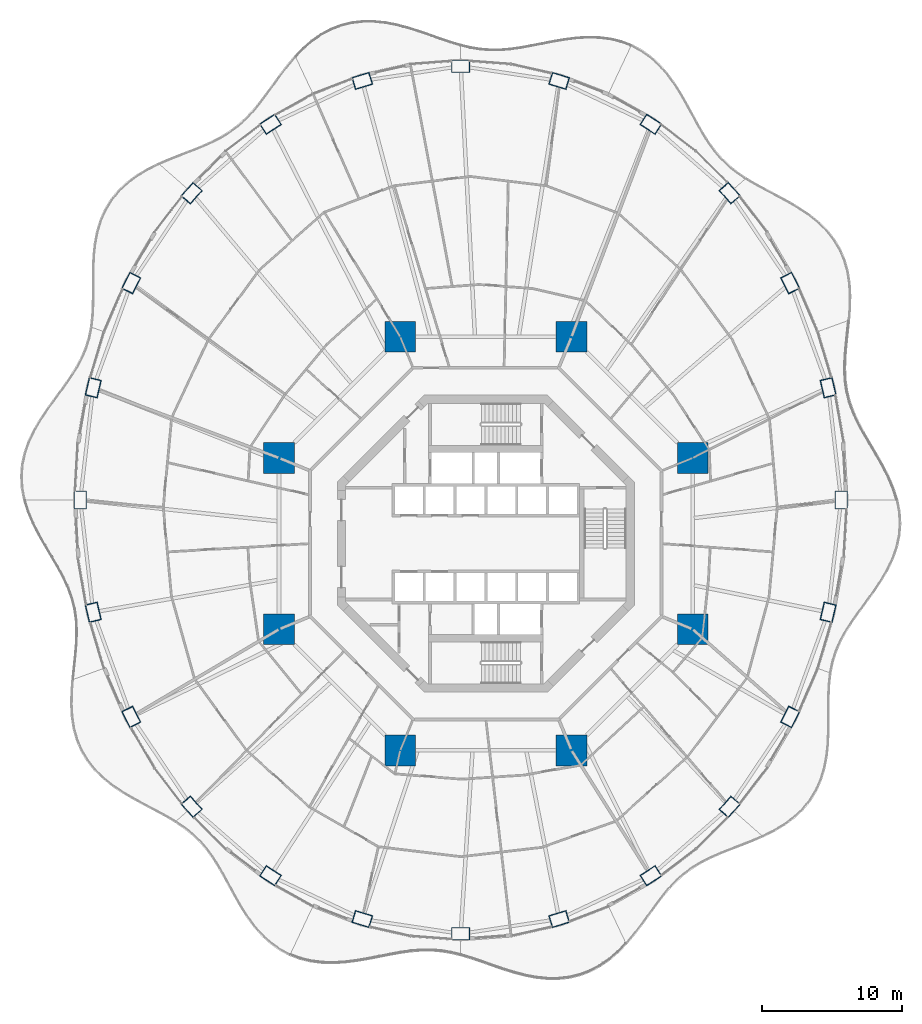
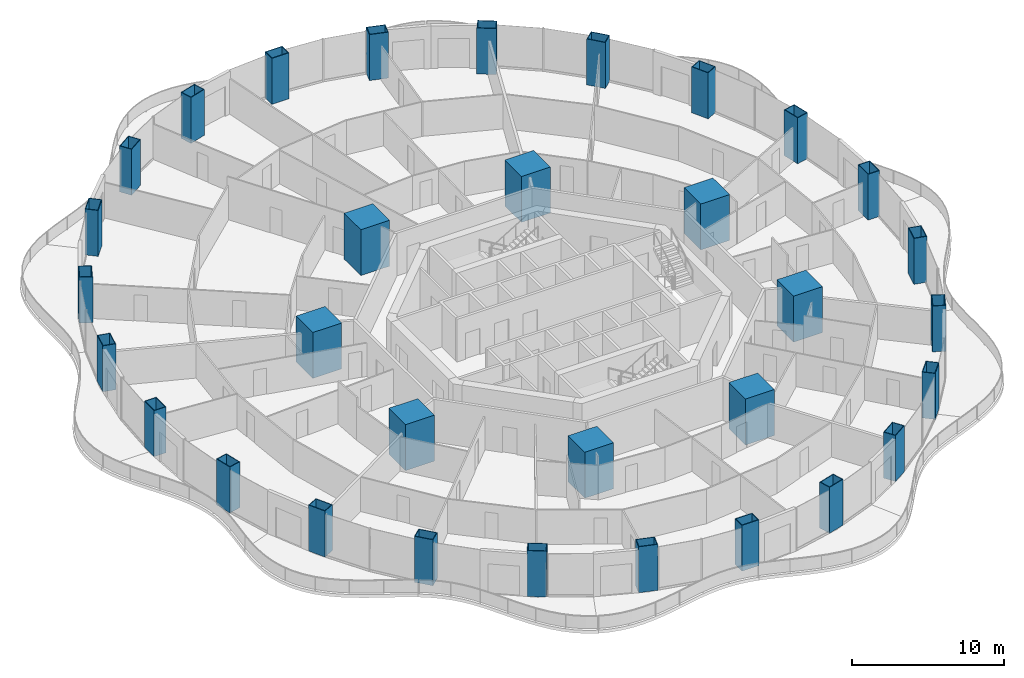
# One storey, part 1 of 22: 32 columns.
"""IFC4 building model written with IfcOpenShell, lengths in metres."""

from ifc_helpers import new_model, si_unit, direction, frame, origin, origin_2d, place, context, subcontext, project, spatial, rectangle, hollow_rectangle, extrude, material, material_profile, profile_set, type_object, element, save


model = new_model("IFC4")

# Units and contexts
model_context = context("Model", 3, precision=1e-05, world=origin(), true_north=direction((0.0, 1.0)))
body_context = subcontext(model_context, "Body", "Model", "MODEL_VIEW")
ifc_project = project(units=[si_unit("LENGTHUNIT", "METRE"), si_unit("AREAUNIT", "SQUARE_METRE"), si_unit("VOLUMEUNIT", "CUBIC_METRE"), si_unit("PLANEANGLEUNIT", "RADIAN"), si_unit("MASSUNIT", "GRAM", prefix="KILO")], contexts=[model_context])

# Site, building, storey
site_placement = place(None, origin())
site = spatial("IfcSite", under=ifc_project, at=site_placement, CompositionType="ELEMENT")
building_placement = place(site_placement, origin())
building = spatial("IfcBuilding", under=site, at=building_placement, Name="Nagisa Residences", CompositionType="ELEMENT")
storey_placement = place(building_placement, frame((0.0, 0.0, 88.10009765625)))
storey = spatial("IfcBuildingStorey", under=building, at=storey_placement, Name="L21", CompositionType="ELEMENT", Elevation=88.10009765625)

# Columns
ifc_material_1 = material(Name="Concrete C80", Category="concrete")
ifc_material_profile_1 = material_profile(ifc_material_1, rectangle(XDim=2.199951171875, YDim=2.199951171875, at=origin_2d()), Name="C80 2200x2200")
ifc_profile_set_1 = profile_set([ifc_material_profile_1], Name="Concrete C80")
column_type_1 = type_object("IfcColumnType", Name="Inner megacolumn C80 2200x2200", PredefinedType="COLUMN", material=ifc_profile_set_1)
for number, where, z_axis, x_axis, name in (
    (1, (14.781982421875, 6.123046875, 0.0), (0.0, 0.0, 1.0), (1.0, 0.0, 0.0), "col:L21:i1"),
    (2, (6.123046875, 14.781982421875, 0.0), (0.0, 0.0, 1.0), (1.0, 0.0, 0.0), "col:L21:i2"),
    (3, (-6.123046875, 14.781982421875, 0.0), (0.0, 0.0, 1.0), (1.0, 0.0, 0.0), "col:L21:i3"),
    (4, (-14.781982421875, 6.123046875, 0.0), (0.0, 0.0, 1.0), (1.0, 0.0, 0.0), "col:L21:i4"),
    (5, (-14.781982421875, -6.123046875, 0.0), (0.0, 0.0, 1.0), (1.0, 0.0, 0.0), "col:L21:i5"),
    (6, (-6.123046875, -14.781982421875, 0.0), (0.0, 0.0, 1.0), (1.0, 0.0, 0.0), "col:L21:i6"),
    (7, (6.123046875, -14.781982421875, 0.0), (0.0, 0.0, 1.0), (1.0, 0.0, 0.0), "col:L21:i7"),
    (8, (14.781982421875, -6.123046875, 0.0), (0.0, 0.0, 1.0), (1.0, 0.0, 0.0), "col:L21:i8"),
):
    element("IfcColumn", number, at=place(storey_placement, frame(where, z_axis=z_axis, x_axis=x_axis)), inside=storey, type_object=column_type_1, Name=name, PredefinedType="COLUMN", context=body_context, shape_type="SweptSolid", body=[
        extrude(rectangle(XDim=2.199951171875, YDim=2.199951171875, at=origin_2d()), origin(), (0.0, 0.0, 1.0), 3.699951171875),
    ])
ifc_material_2 = material(Name="Steel ASTM A572 Gr 50", Category="steel")
ifc_material_profile_2 = material_profile(ifc_material_2, hollow_rectangle(XDim=1.300048828125, YDim=0.89990234375, WallThickness=0.044921875, at=origin_2d()), Name="BX 1300x900x45")
ifc_profile_set_2 = profile_set([ifc_material_profile_2], Name="Steel ASTM A572 Gr 50")
column_type_2 = type_object("IfcColumnType", Name="Perimeter column BX 1300x900x45", PredefinedType="COLUMN", material=ifc_profile_set_2)
for number, where, z_axis, x_axis, name in (
    (9, (25.39501953125, 3.11767578125, 0.0), (0.0, 0.0, 1.0), (0.0, 1.0, 0.0), "col:L21:p00"),
    (10, (24.46826171875, 11.14501953125, 0.0), (0.0, 0.0, 1.0), (-0.229202013103, 0.973378876486, 0.0), "col:L21:p01"),
    (11, (21.75146484375, 18.625244140625, 0.0), (0.0, 0.0, 1.0), (-0.452462697578, 0.891783329795, 0.0), "col:L21:p02"),
    (12, (17.4296875, 25.048583984375, 0.0), (0.0, 0.0, 1.0), (-0.660114607735, 0.751164898445, 0.0), "col:L21:p03"),
    (13, (11.797607421875, 29.9775390625, 0.0), (0.0, 0.0, 1.0), (-0.835766105673, 0.54908561865, 0.0), "col:L21:p04"),
    (14, (5.238525390625, 33.075927734375, 0.0), (0.0, 0.0, 1.0), (-0.956524583408, 0.291651712384, 0.0), "col:L21:p05"),
    (15, (-1.800048828125, 34.1328125, 0.0), (0.0, 0.0, 1.0), (-1.0, 0.0, 0.0), "col:L21:p06"),
    (16, (-8.838623046875, 33.075927734375, 0.0), (0.0, 0.0, 1.0), (-0.956524583408, -0.291651712384, 0.0), "col:L21:p07"),
    (17, (-15.3974609375, 29.9775390625, 0.0), (0.0, 0.0, 1.0), (-0.835766105673, -0.54908561865, 0.0), "col:L21:p08"),
    (18, (-21.02978515625, 25.048583984375, 0.0), (0.0, 0.0, 1.0), (-0.660114607735, -0.751164898445, 0.0), "col:L21:p09"),
    (19, (-25.3515625, 18.625244140625, 0.0), (0.0, 0.0, 1.0), (-0.452462697578, -0.891783329795, 0.0), "col:L21:p10"),
    (20, (-28.068359375, 11.14501953125, 0.0), (0.0, 0.0, 1.0), (-0.229202013103, -0.973378876486, 0.0), "col:L21:p11"),
    (21, (-28.9951171875, 3.11767578125, 0.0), (0.0, 0.0, 1.0), (0.0, -1.0, 0.0), "col:L21:p12"),
    (22, (-28.068359375, -4.90966796875, 0.0), (0.0, 0.0, 1.0), (0.229202013103, -0.973378876486, 0.0), "col:L21:p13"),
    (23, (-25.3515625, -12.389892578125, 0.0), (0.0, 0.0, 1.0), (0.452462697578, -0.891783329795, 0.0), "col:L21:p14"),
    (24, (-21.02978515625, -18.813232421875, 0.0), (0.0, 0.0, 1.0), (0.660114607735, -0.751164898445, 0.0), "col:L21:p15"),
    (25, (-15.3974609375, -23.7421875, 0.0), (0.0, 0.0, 1.0), (0.835766105673, -0.54908561865, 0.0), "col:L21:p16"),
    (26, (-8.838623046875, -26.840576171875, 0.0), (0.0, 0.0, 1.0), (0.956524583408, -0.291651712384, 0.0), "col:L21:p17"),
    (27, (-1.800048828125, -27.897216796875, 0.0), (0.0, 0.0, 1.0), (1.0, 0.0, 0.0), "col:L21:p18"),
    (28, (5.238525390625, -26.840576171875, 0.0), (0.0, 0.0, 1.0), (0.956524583408, 0.291651712384, 0.0), "col:L21:p19"),
    (29, (11.797607421875, -23.7421875, 0.0), (0.0, 0.0, 1.0), (0.835766105673, 0.54908561865, 0.0), "col:L21:p20"),
    (30, (17.4296875, -18.813232421875, 0.0), (0.0, 0.0, 1.0), (0.660114607735, 0.751164898445, 0.0), "col:L21:p21"),
    (31, (21.75146484375, -12.389892578125, 0.0), (0.0, 0.0, 1.0), (0.452462697578, 0.891783329795, 0.0), "col:L21:p22"),
    (32, (24.46826171875, -4.90966796875, 0.0), (0.0, 0.0, 1.0), (0.229202013103, 0.973378876486, 0.0), "col:L21:p23"),
):
    element("IfcColumn", number, at=place(storey_placement, frame(where, z_axis=z_axis, x_axis=x_axis)), inside=storey, type_object=column_type_2, Name=name, PredefinedType="COLUMN", context=body_context, shape_type="SweptSolid", body=[
        extrude(hollow_rectangle(XDim=1.300048828125, YDim=0.89990234375, WallThickness=0.044921875, at=origin_2d()), origin(), (0.0, 0.0, 1.0), 3.699951171875),
    ])

save(model, "model.ifc")
